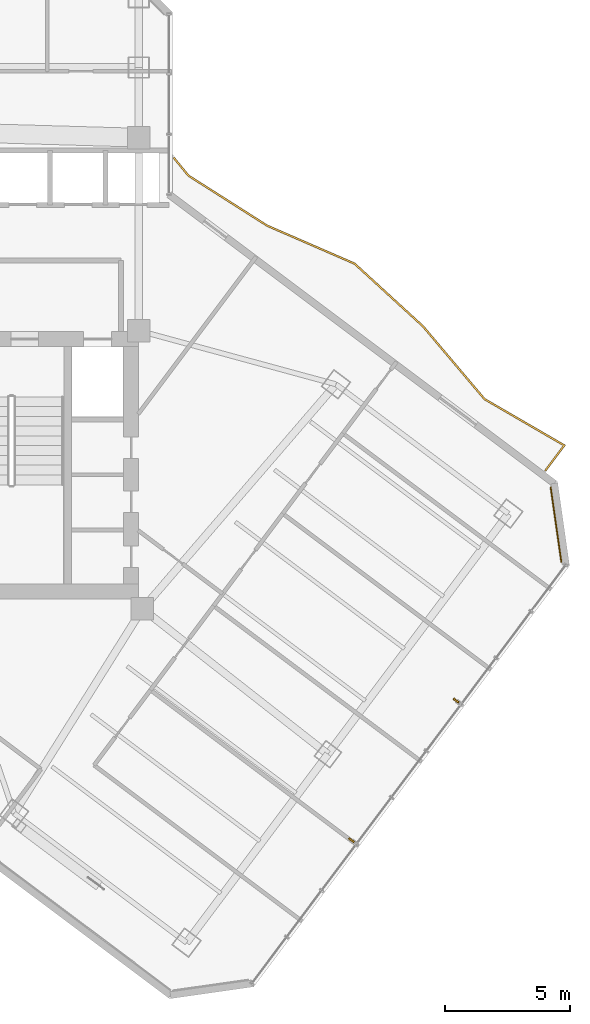
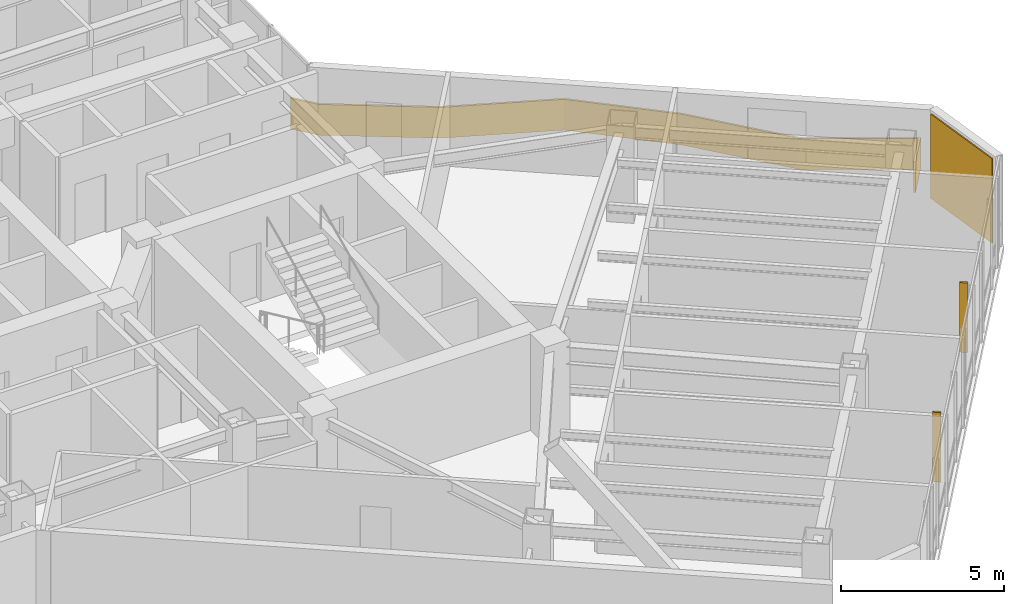
# One storey, part 28 of 29: 2 shading devices, 1 covering, 1 railing.
"""IFC4 building model written with IfcOpenShell, lengths in metres."""

from ifc_helpers import new_model, si_unit, direction, frame, origin, origin_2d, place, context, subcontext, project, spatial, polyline, rectangle, outline, extrude, material, layer, layer_set, type_object, element, save


model = new_model("IFC4")

# Units and contexts
model_context = context("Model", 3, precision=1e-05, world=origin(), true_north=direction((0.0, 1.0)))
body_context = subcontext(model_context, "Body", "Model", "MODEL_VIEW")
ifc_project = project(units=[si_unit("LENGTHUNIT", "METRE"), si_unit("AREAUNIT", "SQUARE_METRE"), si_unit("VOLUMEUNIT", "CUBIC_METRE"), si_unit("PLANEANGLEUNIT", "RADIAN"), si_unit("MASSUNIT", "GRAM", prefix="KILO")], contexts=[model_context])

# Site, building, storey
site_placement = place(None, origin())
site = spatial("IfcSite", under=ifc_project, at=site_placement, CompositionType="ELEMENT")
building_placement = place(site_placement, origin())
building = spatial("IfcBuilding", under=site, at=building_placement, Name="Hatsunagi Terrace Concourse", CompositionType="ELEMENT")
storey_placement = place(building_placement, frame((0.0, 0.0, 149.25)))
storey = spatial("IfcBuildingStorey", under=building, at=storey_placement, Name="L39", CompositionType="ELEMENT", Elevation=149.25)

# Railing
ifc_material_1 = material(Name="Laminated Glass and Stainless Steel Guard", Category="steel")
ifc_layer_1 = layer(ifc_material_1, 0.070068359375)
ifc_layer_set_1 = layer_set([ifc_layer_1], Name="BalconyGlassGuardRail_1150")
railing_type = type_object("IfcRailingType", Name="BalconyGlassGuardRail_1150", PredefinedType="BALUSTRADE", material=ifc_layer_set_1)
railing_placement = place(storey_placement, origin())
element("IfcRailing", 1, at=railing_placement, inside=storey, type_object=railing_type, Name="Engawa Balcony Guard GRD-01 L39-BSE-1", PredefinedType="BALUSTRADE", context=body_context, shape_type="SweptSolid", body=[
    extrude(outline(polyline([(45.072998046875, 42.22314453125), (45.018798828125, 42.1787109375), (45.609619140625, 41.45849609375), (48.758544921875, 39.45703125), (52.24072265625, 37.944091796875), (54.96875, 35.44677734375), (57.42431640625, 32.540771484375), (60.577392578125, 30.71142578125), (59.842041015625, 29.73095703125), (59.89794921875, 29.68896484375), (60.6806640625, 30.732421875), (57.4697265625, 32.59521484375), (55.019287109375, 35.495361328125), (52.279296875, 38.00390625), (48.79150390625, 39.51904296875), (45.656494140625, 41.511474609375), (45.072998046875, 42.22314453125)])), origin(), (0.0, 0.0, 1.0), 1.14990234375),
])

# Shading devices
ifc_material_2 = material(Name="Extruded Unglazed Terracotta Baguette", Category="masonry")
shading_device_type = type_object("IfcShadingDeviceType", Name="TerracottaFinScreen_260x70", PredefinedType="USERDEFINED", material=ifc_material_2)
for number, where, z_axis, x_axis, name in (
    (2, (56.31591796875, 20.5390625, 0.849853515625), (0.0, 0.0, 1.0), (-0.599969314634, -0.800023013105, 0.0), "Terracotta Baguette Fin Screen SCR-01"),
    (3, (52.139892578125, 14.968994140625, 0.849853515625), (0.0, 0.0, 1.0), (-0.599969314634, -0.800023013105, 0.0), "Terracotta Baguette Fin Screen SCR-01"),
):
    element("IfcShadingDevice", number, at=place(storey_placement, frame(where, z_axis=z_axis, x_axis=x_axis)), inside=storey, type_object=shading_device_type, Name=name, ObjectType="SUNSHADE", PredefinedType="USERDEFINED", context=body_context, shape_type="SweptSolid", body=[
        extrude(rectangle(XDim=0.070068359375, YDim=0.260009765625, at=origin_2d()), origin(), (0.0, 0.0, 1.0), 2.60009765625),
    ])

# Covering
ifc_material_3 = material(Name="Unglazed Warm Terracotta Rainscreen Tile", Category="masonry")
ifc_layer_2 = layer(ifc_material_3, 0.044921875)
ifc_layer_set_2 = layer_set([ifc_layer_2], Name="TerracottaRainscreenCladding_45")
covering_type = type_object("IfcCoveringType", Name="TerracottaRainscreenCladding_45", PredefinedType="CLADDING", material=ifc_layer_set_2)
covering_placement = place(storey_placement, frame((60.301025390625, 27.55810546875, 0.10009765625), z_axis=(0.0, 0.0, 1.0), x_axis=(0.141250262458, -0.989973920543, 0.0)))
element("IfcCovering", 4, at=covering_placement, inside=storey, type_object=covering_type, Name="Terracotta Rainscreen Cladding L39-02", PredefinedType="CLADDING", context=body_context, shape_type="SweptSolid", body=[
    extrude(rectangle(XDim=3.0380859375, YDim=0.044921875, at=origin_2d()), origin(), (0.0, 0.0, 1.0), 3.14990234375),
])

save(model, "model.ifc")
